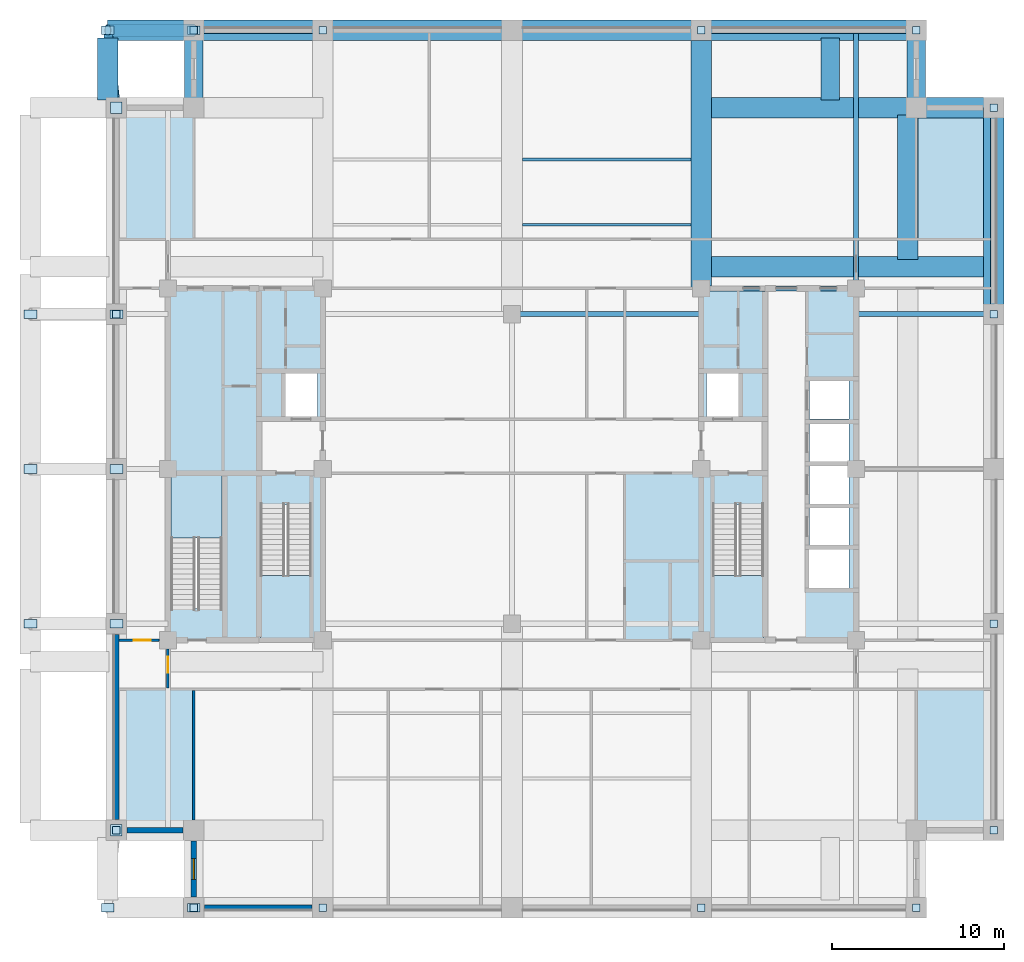
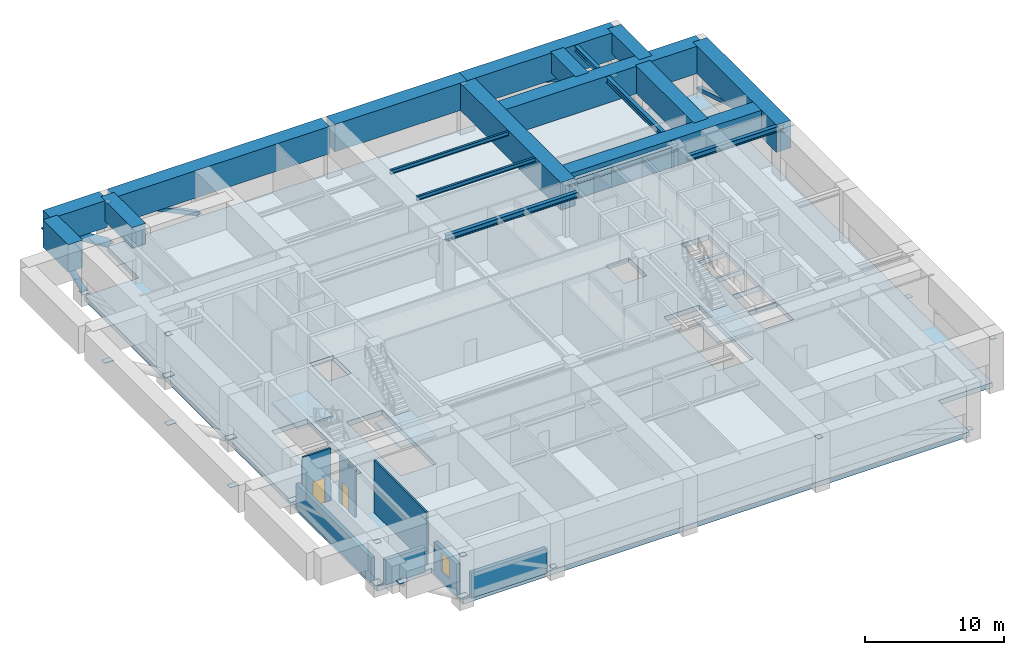
# One storey, part 2 of 11: 26 plates, 19 beams, 7 walls, 5 members, 4 slabs, 2 doors, 1 window, 3 openings, 3 elements without a shape of their own.
"""IFC4 building model written with IfcOpenShell, lengths in metres."""

from ifc_helpers import new_model, si_unit, direction, frame, frame_2d, origin, origin_2d, place, context, subcontext, project, spatial, polyline, rectangle, hollow_rectangle, hollow_circle, i_section, outline, extrude, material, layer, layer_set, material_profile, profile_set, type_object, element, fill, aggregate, save


model = new_model("IFC4")

# Units and contexts
model_context = context("Model", 3, precision=1e-05, world=origin(), true_north=direction((0.0, 1.0)))
body_context = subcontext(model_context, "Body", "Model", "MODEL_VIEW")
ifc_project = project(units=[si_unit("LENGTHUNIT", "METRE"), si_unit("AREAUNIT", "SQUARE_METRE"), si_unit("VOLUMEUNIT", "CUBIC_METRE"), si_unit("PLANEANGLEUNIT", "RADIAN"), si_unit("MASSUNIT", "GRAM", prefix="KILO")], contexts=[model_context])

# Site, building, storey
site_placement = place(None, origin())
site = spatial("IfcSite", under=ifc_project, at=site_placement, CompositionType="ELEMENT")
building_placement = place(site_placement, origin())
building = spatial("IfcBuilding", under=site, at=building_placement, Name="Zulmaris Gate Convention Tower", CompositionType="ELEMENT")
storey_placement = place(building_placement, frame((0.0, 0.0, 116.349853515625)))
storey = spatial("IfcBuildingStorey", under=building, at=storey_placement, Name="L29", CompositionType="ELEMENT", Elevation=116.349853515625)

# Beams
ifc_material_1 = material(Name="Steel S355", Category="steel")
ifc_material_profile_1 = material_profile(ifc_material_1, i_section(OverallWidth=0.300048828125, OverallDepth=0.5, WebThickness=0.014404296875, FlangeThickness=0.028076171875, FilletRadius=0.027099609375, at=origin_2d()), Name="HEB 500")
ifc_profile_set_1 = profile_set([ifc_material_profile_1], Name="Steel S355")
beam_type_1 = type_object("IfcBeamType", Name="BM-HEB500", PredefinedType="BEAM", material=ifc_profile_set_1)
beam_1_placement = place(storey_placement, frame((0.0, 9.0, 4.322998046875), z_axis=(1.0, 0.0, 0.0), x_axis=(0.0, 1.0, 0.0)))
element("IfcBeam", 1, at=beam_1_placement, inside=storey, type_object=beam_type_1, Name="L29 Beam BM-L29-G04", PredefinedType="BEAM", context=body_context, shape_type="SweptSolid", body=[
    extrude(i_section(OverallWidth=0.300048828125, OverallDepth=0.5, WebThickness=0.014404296875, FlangeThickness=0.028076171875, FilletRadius=0.027099609375, at=origin_2d()), origin(), (0.0, 0.0, 1.0), 11.0),
])
beam_2_placement = place(storey_placement, frame((20.0, 10.5, 4.2880859375), z_axis=(0.0, 1.0, 0.0), x_axis=(-1.0, 0.0, 0.0)))
element("IfcBeam", 2, at=beam_2_placement, inside=storey, type_object=beam_type_1, Name="L29 Beam BM-L29-G15", PredefinedType="BEAM", context=body_context, shape_type="SweptSolid", body=[
    extrude(i_section(OverallWidth=0.300048828125, OverallDepth=0.5, WebThickness=0.014404296875, FlangeThickness=0.028076171875, FilletRadius=0.027099609375, at=origin_2d()), origin(), (0.0, 0.0, 1.0), 15.0),
])
beam_3_placement = place(storey_placement, frame((20.0, 9.0, 4.2880859375), z_axis=(1.0, 0.0, 0.0), x_axis=(0.0, 1.0, 0.0)))
element("IfcBeam", 3, at=beam_3_placement, inside=storey, type_object=beam_type_1, Name="L29 Beam BM-L29-G21", PredefinedType="BEAM", context=body_context, shape_type="SweptSolid", body=[
    extrude(i_section(OverallWidth=0.300048828125, OverallDepth=0.5, WebThickness=0.014404296875, FlangeThickness=0.028076171875, FilletRadius=0.027099609375, at=origin_2d()), origin(), (0.0, 0.0, 1.0), 8.0),
])
beam_4_placement = place(storey_placement, frame((11.0, 10.5, 4.322998046875), z_axis=(1.0, 0.0, 0.0), x_axis=(0.0, 1.0, 0.0)))
element("IfcBeam", 4, at=beam_4_placement, inside=storey, type_object=beam_type_1, Name="L29 Beam BM-L29-G25", PredefinedType="BEAM", context=body_context, shape_type="SweptSolid", body=[
    extrude(i_section(OverallWidth=0.300048828125, OverallDepth=0.5, WebThickness=0.014404296875, FlangeThickness=0.028076171875, FilletRadius=0.027099609375, at=origin_2d()), origin(), (0.0, 0.0, 1.0), 9.0),
])
ifc_material_2 = material(Name="Concrete C80/95", Category="concrete")
ifc_material_profile_2 = material_profile(ifc_material_2, rectangle(XDim=1.10009765625, YDim=1.800048828125, at=origin_2d()), Name="RC TRANSFER 1100x1800")
ifc_profile_set_2 = profile_set([ifc_material_profile_2], Name="Concrete C80/95")
beam_type_2 = type_object("IfcBeamType", Name="BM-XFER1800", PredefinedType="BEAM", material=ifc_profile_set_2)
for number, where, z_axis, x_axis, name in (
    (5, (-18.5, 21.0, 3.675048828125), (0.0, 1.0, 0.0), (-1.0, 0.0, 0.0), "L29 Beam XFCOLV-L29-CXWN"),
    (6, (23.5, 21.0, 3.675048828125), (0.0, 1.0, 0.0), (-1.0, 0.0, 0.0), "L29 Beam XFCOLV-L29-CXEN"),
):
    element("IfcBeam", number, at=place(storey_placement, frame(where, z_axis=z_axis, x_axis=x_axis)), inside=storey, type_object=beam_type_2, Name=name, PredefinedType="BEAM", context=body_context, shape_type="SweptSolid", body=[
        extrude(rectangle(XDim=1.10009765625, YDim=1.800048828125, at=origin_2d()), origin(), (0.0, 0.0, 1.0), 4.5),
    ])
beam_5_placement = place(storey_placement, frame((18.5, 21.43505859375, 3.675048828125), z_axis=(0.0, 1.0, 0.0), x_axis=(-1.0, 0.0, 0.0)))
element("IfcBeam", 7, at=beam_5_placement, inside=storey, type_object=beam_type_2, Name="L29 Beam XFNCH-L29-EC-+21.0", PredefinedType="BEAM", context=body_context, shape_type="SweptSolid", body=[
    extrude(rectangle(XDim=1.10009765625, YDim=1.800048828125, at=origin_2d()), origin(), (0.0, 0.0, 1.0), 3.6298828125),
])
ifc_material_profile_3 = material_profile(ifc_material_2, rectangle(XDim=1.199951171875, YDim=2.39990234375, at=origin_2d()), Name="RC TRANSFER 1200x2400")
ifc_profile_set_3 = profile_set([ifc_material_profile_3], Name="Concrete C80/95")
beam_type_3 = type_object("IfcBeamType", Name="BM-XFER2400", PredefinedType="BEAM", material=ifc_profile_set_3)
beam_6_placement = place(storey_placement, frame((28.0, 9.0, 3.375), z_axis=(0.0, 1.0, 0.0), x_axis=(-1.0, 0.0, 0.0)))
element("IfcBeam", 8, at=beam_6_placement, inside=storey, type_object=beam_type_3, Name="L29 Beam XFCOLV-L29-XEN", PredefinedType="BEAM", context=body_context, shape_type="SweptSolid", body=[
    extrude(rectangle(XDim=1.199951171875, YDim=2.39990234375, at=origin_2d()), origin(), (0.0, 0.0, 1.0), 12.0),
])
beam_7_placement = place(storey_placement, frame((11.0, 10.5, 3.375), z_axis=(0.0, 1.0, 0.0), x_axis=(-1.0, 0.0, 0.0)))
element("IfcBeam", 9, at=beam_7_placement, inside=storey, type_object=beam_type_3, Name="L29 Beam XFCOLV-L29-C11EN", PredefinedType="BEAM", context=body_context, shape_type="SweptSolid", body=[
    extrude(rectangle(XDim=1.199951171875, YDim=2.39990234375, at=origin_2d()), origin(), (0.0, 0.0, 1.0), 15.0),
])
beam_8_placement = place(storey_placement, frame((-18.1650390625, 25.5, 3.375), z_axis=(1.0, 0.0, 0.0), x_axis=(0.0, 1.0, 0.0)))
element("IfcBeam", 10, at=beam_8_placement, inside=storey, type_object=beam_type_3, Name="L29 Beam XFBS-L29-WC-+25.5", PredefinedType="BEAM", context=body_context, shape_type="SweptSolid", body=[
    extrude(rectangle(XDim=1.199951171875, YDim=2.39990234375, at=origin_2d()), origin(), (0.0, 0.0, 1.0), 17.72998046875),
])
beam_9_placement = place(storey_placement, frame((-23.5, 25.5, 3.375), z_axis=(1.0, 0.0, 0.0), x_axis=(0.0, 1.0, 0.0)))
element("IfcBeam", 11, at=beam_9_placement, inside=storey, type_object=beam_type_3, Name="L29 Beam XFSF-L29-WC-+25.5", PredefinedType="BEAM", context=body_context, shape_type="SweptSolid", body=[
    extrude(rectangle(XDim=1.199951171875, YDim=2.39990234375, at=origin_2d()), origin(), (0.0, 0.0, 1.0), 4.6650390625),
])
for number, where, z_axis, x_axis, name in (
    (12, (11.0, 11.75, 3.375), (1.0, 0.0, 0.0), (0.0, 1.0, 0.0), "L29 Beam XFREC-L29-E-+11.75"),
    (13, (11.0, 21.0, 3.375), (1.0, 0.0, 0.0), (0.0, 1.0, 0.0), "L29 Beam XFREC-L29-E-+21.00"),
):
    element("IfcBeam", number, at=place(storey_placement, frame(where, z_axis=z_axis, x_axis=x_axis)), inside=storey, type_object=beam_type_3, Name=name, PredefinedType="BEAM", context=body_context, shape_type="SweptSolid", body=[
        extrude(rectangle(XDim=1.199951171875, YDim=2.39990234375, at=origin_2d()), origin(), (0.0, 0.0, 1.0), 17.0),
    ])
beam_10_placement = place(storey_placement, frame((23.0, 12.18505859375, 3.375), z_axis=(0.0, 1.0, 0.0), x_axis=(-1.0, 0.0, 0.0)))
element("IfcBeam", 14, at=beam_10_placement, inside=storey, type_object=beam_type_3, Name="L29 Beam XFEDG-L29-EN", PredefinedType="BEAM", context=body_context, shape_type="SweptSolid", body=[
    extrude(rectangle(XDim=1.199951171875, YDim=2.39990234375, at=origin_2d()), origin(), (0.0, 0.0, 1.0), 8.3798828125),
])
beam_11_placement = place(storey_placement, frame((11.0, 25.5, 3.375), z_axis=(1.0, 0.0, 0.0), x_axis=(0.0, 1.0, 0.0)))
element("IfcBeam", 15, at=beam_11_placement, inside=storey, type_object=beam_type_3, Name="L29 Beam XFREC-L29-EC-+25.5", PredefinedType="BEAM", context=body_context, shape_type="SweptSolid", body=[
    extrude(rectangle(XDim=1.199951171875, YDim=2.39990234375, at=origin_2d()), origin(), (0.0, 0.0, 1.0), 12.5),
])
beam_12_placement = place(storey_placement, frame((0.0, 25.5, 3.375), z_axis=(1.0, 0.0, 0.0), x_axis=(0.0, 1.0, 0.0)))
element("IfcBeam", 16, at=beam_12_placement, inside=storey, type_object=beam_type_3, Name="L29 Beam XFREC-L29-M2-+25.5", PredefinedType="BEAM", context=body_context, shape_type="SweptSolid", body=[
    extrude(rectangle(XDim=1.199951171875, YDim=2.39990234375, at=origin_2d()), origin(), (0.0, 0.0, 1.0), 11.0),
])
beam_13_placement = place(storey_placement, frame((-23.5, 21.43505859375, 3.375), z_axis=(0.0, 1.0, 0.0), x_axis=(-1.0, 0.0, 0.0)))
element("IfcBeam", 17, at=beam_13_placement, inside=storey, type_object=beam_type_3, Name="L29 Beam XFNCH-L29-WC-+21.0", PredefinedType="BEAM", context=body_context, shape_type="SweptSolid", body=[
    extrude(rectangle(XDim=1.199951171875, YDim=2.39990234375, at=origin_2d()), origin(), (0.0, 0.0, 1.0), 3.6298828125),
])

# Members
ifc_material_3 = material(Name="Steel S460", Category="steel")
ifc_material_profile_4 = material_profile(ifc_material_3, hollow_circle(Radius=0.25390625, WallThickness=0.02490234375, at=origin_2d()), Name="CHS 508x25")
ifc_profile_set_4 = profile_set([ifc_material_profile_4], Name="Steel S460")
member_type_1 = type_object("IfcMemberType", Name="BR-CHS508", PredefinedType="BRACE", material=ifc_profile_set_4)
member_1_placement = place(storey_placement, frame((-23.0, 21.0, 0.35009765625), z_axis=(-0.091824253231, 0.826418279083, 0.555518797626), x_axis=(-0.993883734674, -0.110431526075, 0.0)))
element("IfcMember", 18, at=member_1_placement, inside=storey, type_object=member_type_1, Name="L29 Shifted Block Notch Web Strut WC +25.5", PredefinedType="BRACE", context=body_context, shape_type="SweptSolid", body=[
    extrude(hollow_circle(Radius=0.25390625, WallThickness=0.02490234375, at=origin_2d()), origin(), (0.0, 0.0, 1.0), 5.445068359375),
])
ifc_material_profile_5 = material_profile(ifc_material_3, hollow_circle(Radius=0.35546875, WallThickness=0.035888671875, at=origin_2d()), Name="CHS 711x36")
ifc_profile_set_5 = profile_set([ifc_material_profile_5], Name="Steel S460")
member_type_2 = type_object("IfcMemberType", Name="BR-CHS711", PredefinedType="BRACE", material=ifc_profile_set_5)
member_2_placement = place(storey_placement, frame((-18.5, 25.5, 0.35009765625), z_axis=(-0.855607204718, 0.0, 0.517625647776), x_axis=(0.0, -1.0, 0.0)))
element("IfcMember", 19, at=member_2_placement, inside=storey, type_object=member_type_2, Name="L29 Shifted Block Corner Raking Strut WC +25.5", PredefinedType="BRACE", context=body_context, shape_type="SweptSolid", body=[
    extrude(hollow_circle(Radius=0.35546875, WallThickness=0.035888671875, at=origin_2d()), origin(), (0.0, 0.0, 1.0), 5.84375),
])
ifc_material_profile_6 = material_profile(ifc_material_3, hollow_rectangle(XDim=0.35009765625, YDim=0.35009765625, WallThickness=0.01611328125, at=origin_2d()), Name="SHS 350x350x16")
ifc_profile_set_6 = profile_set([ifc_material_profile_6], Name="Steel S460")
member_type_3 = type_object("IfcMemberType", Name="BR-SHS350", PredefinedType="BRACE", material=ifc_profile_set_6)
member_3_placement = place(storey_placement, frame((28.0, 21.0, 0.300048828125), z_axis=(0.0, -0.956610453782, 0.291369936189), x_axis=(1.0, 0.0, 0.0)))
element("IfcMember", 20, at=member_3_placement, inside=storey, type_object=member_type_3, Name="L29 Perimeter Tube Diagonal NE-E", PredefinedType="BRACE", context=body_context, shape_type="SweptSolid", body=[
    extrude(hollow_rectangle(XDim=0.35009765625, YDim=0.35009765625, WallThickness=0.01611328125, at=origin_2d()), origin(), (0.0, 0.0, 1.0), 12.544189453125),
])
member_4_placement = place(storey_placement, frame((-11.0, 25.5, 0.300048828125), z_axis=(-0.898934027062, 0.0, 0.438084027316), x_axis=(0.0, -1.0, 0.0)))
element("IfcMember", 21, at=member_4_placement, inside=storey, type_object=member_type_3, Name="L29 Perimeter Tube Diagonal NW-N", PredefinedType="BRACE", context=body_context, shape_type="SweptSolid", body=[
    extrude(hollow_rectangle(XDim=0.35009765625, YDim=0.35009765625, WallThickness=0.01611328125, at=origin_2d()), origin(), (0.0, 0.0, 1.0), 8.34326171875),
])
member_5_placement = place(storey_placement, frame((23.5, 25.5, 0.300048828125), z_axis=(-0.959809977016, 0.0, 0.280650686834), x_axis=(0.0, -1.0, 0.0)))
element("IfcMember", 22, at=member_5_placement, inside=storey, type_object=member_type_3, Name="L29 Perimeter Tube Diagonal NE-N", PredefinedType="BRACE", context=body_context, shape_type="SweptSolid", body=[
    extrude(hollow_rectangle(XDim=0.35009765625, YDim=0.35009765625, WallThickness=0.01611328125, at=origin_2d()), origin(), (0.0, 0.0, 1.0), 13.0234375),
])

# Beams
ifc_material_profile_7 = material_profile(ifc_material_1, i_section(OverallWidth=0.169921875, OverallDepth=0.360107421875, WebThickness=0.008056640625, FlangeThickness=0.0126953125, FilletRadius=0.01806640625, at=origin_2d()), Name="IPE 360")
ifc_profile_set_7 = profile_set([ifc_material_profile_7], Name="Steel S355")
beam_type_4 = type_object("IfcBeamType", Name="JT-IPE360", PredefinedType="JOIST", material=ifc_profile_set_7)
for number, where, z_axis, x_axis, name in (
    (23, (0.60009765625, 14.199951171875, 4.39306640625), (1.0, 0.0, 0.0), (0.0, 1.0, 0.0), "L29 Joist JT-L29-CE-+14.2"),
    (24, (0.60009765625, 18.0, 4.39306640625), (1.0, 0.0, 0.0), (0.0, 1.0, 0.0), "L29 Joist JT-L29-CE-+18.0"),
):
    element("IfcBeam", number, at=place(storey_placement, frame(where, z_axis=z_axis, x_axis=x_axis)), inside=storey, type_object=beam_type_4, Name=name, PredefinedType="JOIST", context=body_context, shape_type="SweptSolid", body=[
        extrude(i_section(OverallWidth=0.169921875, OverallDepth=0.360107421875, WebThickness=0.008056640625, FlangeThickness=0.0126953125, FilletRadius=0.01806640625, at=origin_2d()), origin(), (0.0, 0.0, 1.0), 9.7998046875),
    ])

# Plates
ifc_layer_1 = layer(ifc_material_3, 0.02490234375, Name="Steel S460")
ifc_layer_set_1 = layer_set([ifc_layer_1], Name="Steel S460")
plate_type_1 = type_object("IfcPlateType", Name="NP-CAP-440", PredefinedType="USERDEFINED", material=ifc_layer_set_1)
for number, where, z_axis, x_axis, name in (
    (25, (-23.0, -21.0, 3.942626953125), (0.0, 0.0, 1.0), (1.0, 0.0, 0.0), "L29 Steel Node Plate PBR-L29-SW-W-CAPB"),
    (26, (-23.0, 9.0, 3.942626953125), (0.0, 0.0, 1.0), (1.0, 0.0, 0.0), "L29 Steel Node Plate PBR-L29-NW-W-CAPB"),
    (27, (28.0, -9.0, 0.28759765625), (0.0, 0.0, 1.0), (1.0, 0.0, 0.0), "L29 Steel Node Plate PBR-L29-SE-E-CAP"),
    (28, (28.0, -21.0, 3.942626953125), (0.0, 0.0, 1.0), (1.0, 0.0, 0.0), "L29 Steel Node Plate PBR-L29-SE-E-CAPB"),
    (29, (28.0, 21.0, 0.28759765625), (0.0, 0.0, 1.0), (1.0, 0.0, 0.0), "L29 Steel Node Plate PBR-L29-NE-E-CAP"),
    (30, (28.0, 9.0, 3.942626953125), (0.0, 0.0, 1.0), (1.0, 0.0, 0.0), "L29 Steel Node Plate PBR-L29-NE-E-CAPB"),
    (31, (-11.0, -25.5, 0.28759765625), (0.0, 0.0, 1.0), (1.0, 0.0, 0.0), "L29 Steel Node Plate PBR-L29-SW-S-CAP"),
    (32, (-18.5, -25.5, 3.942626953125), (0.0, 0.0, 1.0), (1.0, 0.0, 0.0), "L29 Steel Node Plate PBR-L29-SW-S-CAPB"),
    (33, (23.5, -25.5, 0.28759765625), (0.0, 0.0, 1.0), (1.0, 0.0, 0.0), "L29 Steel Node Plate PBR-L29-SE-S-CAP"),
    (34, (11.0, -25.5, 3.942626953125), (0.0, 0.0, 1.0), (1.0, 0.0, 0.0), "L29 Steel Node Plate PBR-L29-SE-S-CAPB"),
    (35, (-11.0, 25.5, 0.28759765625), (0.0, 0.0, 1.0), (1.0, 0.0, 0.0), "L29 Steel Node Plate PBR-L29-NW-N-CAP"),
    (36, (-18.5, 25.5, 3.942626953125), (0.0, 0.0, 1.0), (1.0, 0.0, 0.0), "L29 Steel Node Plate PBR-L29-NW-N-CAPB"),
    (37, (23.5, 25.5, 0.28759765625), (0.0, 0.0, 1.0), (1.0, 0.0, 0.0), "L29 Steel Node Plate PBR-L29-NE-N-CAP"),
    (38, (11.0, 25.5, 3.942626953125), (0.0, 0.0, 1.0), (1.0, 0.0, 0.0), "L29 Steel Node Plate PBR-L29-NE-N-CAPB"),
):
    element("IfcPlate", number, at=place(storey_placement, frame(where, z_axis=z_axis, x_axis=x_axis)), inside=storey, type_object=plate_type_1, Name=name, ObjectType="FLANGE PLATE", PredefinedType="USERDEFINED", context=body_context, shape_type="SweptSolid", body=[
        extrude(rectangle(XDim=0.43994140625, YDim=0.43994140625, at=origin_2d()), origin(), (0.0, 0.0, 1.0), 0.02490234375),
    ])
ifc_layer_2 = layer(ifc_material_3, 0.034912109375, Name="Steel S460")
ifc_layer_set_2 = layer_set([ifc_layer_2], Name="Steel S460")
plate_type_2 = type_object("IfcPlateType", Name="NP-GUS-650", PredefinedType="USERDEFINED", material=ifc_layer_set_2)
for number, where, z_axis, x_axis, name in (
    (39, (-23.0, -21.0, 0.33251953125), (0.0, 0.0, 1.0), (1.0, 0.0, 0.0), "L29 Steel Node Plate RKR2-L29-WC--25.5-P0"),
    (40, (-23.0, 21.0, 0.33251953125), (0.0, 0.0, 1.0), (1.0, 0.0, 0.0), "L29 Steel Node Plate RKR2-L29-WC-+25.5-P0"),
):
    element("IfcPlate", number, at=place(storey_placement, frame(where, z_axis=z_axis, x_axis=x_axis)), inside=storey, type_object=plate_type_2, Name=name, ObjectType="GUSSET PLATE", PredefinedType="USERDEFINED", context=body_context, shape_type="SweptSolid", body=[
        extrude(rectangle(XDim=0.64990234375, YDim=0.64990234375, at=origin_2d()), origin(), (0.0, 0.0, 1.0), 0.034912109375),
    ])
ifc_layer_3 = layer(ifc_material_3, 0.034912109375, Name="Steel S460")
ifc_layer_set_3 = layer_set([ifc_layer_3], Name="Steel S460")
plate_type_3 = type_object("IfcPlateType", Name="NP-GUS-750", PredefinedType="USERDEFINED", material=ifc_layer_set_3)
for number, where, z_axis, x_axis, name in (
    (41, (-23.0, -9.0, 0.33251953125), (0.0, 0.0, 1.0), (1.0, 0.0, 0.0), "L29 Steel Node Plate RKR-L29-W--9.0-P0"),
    (42, (-28.0, -9.0, 3.357421875), (0.0, 0.0, 1.0), (1.0, 0.0, 0.0), "L29 Steel Node Plate RKR-L29-W--9.0-P1"),
    (43, (-23.0, 0.0, 0.33251953125), (0.0, 0.0, 1.0), (1.0, 0.0, 0.0), "L29 Steel Node Plate RKR-L29-W-+0.0-P0"),
    (44, (-28.0, 0.0, 3.357421875), (0.0, 0.0, 1.0), (1.0, 0.0, 0.0), "L29 Steel Node Plate RKR-L29-W-+0.0-P1"),
    (45, (-23.0, 9.0, 0.33251953125), (0.0, 0.0, 1.0), (1.0, 0.0, 0.0), "L29 Steel Node Plate RKR-L29-W-+9.0-P0"),
    (46, (-28.0, 9.0, 3.357421875), (0.0, 0.0, 1.0), (1.0, 0.0, 0.0), "L29 Steel Node Plate RKR-L29-W-+9.0-P1"),
    (47, (-18.5, -25.5, 0.33251953125), (0.0, 0.0, 1.0), (1.0, 0.0, 0.0), "L29 Steel Node Plate RKR-L29-WC--25.5-P0"),
    (48, (-23.5, -25.5, 3.357421875), (0.0, 0.0, 1.0), (1.0, 0.0, 0.0), "L29 Steel Node Plate RKR-L29-WC--25.5-P1"),
    (49, (-18.5, 25.5, 0.33251953125), (0.0, 0.0, 1.0), (1.0, 0.0, 0.0), "L29 Steel Node Plate RKR-L29-WC-+25.5-P0"),
    (50, (-23.5, 25.5, 3.357421875), (0.0, 0.0, 1.0), (1.0, 0.0, 0.0), "L29 Steel Node Plate RKR-L29-WC-+25.5-P1"),
):
    element("IfcPlate", number, at=place(storey_placement, frame(where, z_axis=z_axis, x_axis=x_axis)), inside=storey, type_object=plate_type_3, Name=name, ObjectType="GUSSET PLATE", PredefinedType="USERDEFINED", context=body_context, shape_type="SweptSolid", body=[
        extrude(rectangle(XDim=0.75, YDim=0.5, at=origin_2d()), origin(), (0.0, 0.0, 1.0), 0.034912109375),
    ])

# Slab
ifc_material_4 = material(Name="Concrete C60/75", Category="concrete")
ifc_layer_4 = layer(ifc_material_4, 0.425048828125, Name="Concrete C60/75")
ifc_layer_set_4 = layer_set([ifc_layer_4], Name="Concrete C60/75")
slab_type_1 = type_object("IfcSlabType", Name="SL-FLR-425", PredefinedType="FLOOR", material=ifc_layer_set_4)
slab_1_placement = place(storey_placement, frame((0.0, 0.0, -0.425048828125)))
element("IfcSlab", 51, at=slab_1_placement, inside=storey, type_object=slab_type_1, Name="L29 Shifted Notched-Square Structural Floor Slab", PredefinedType="FLOOR", context=body_context, shape_type="SweptSolid", body=[
    extrude(outline(polyline([(-18.5, -25.5), (23.5, -25.5), (23.5, -21.0), (28.0, -21.0), (28.0, 21.0), (23.5, 21.0), (23.5, 25.5), (-18.5, 25.5), (-18.5, 21.0), (-23.0, 21.0), (-23.0, -21.0), (-18.5, -21.0), (-18.5, -25.5)]), holes=[polyline([(-14.6201171875, -2.080078125), (-14.6201171875, -9.85009765625), (-11.659912109375, -9.85009765625), (-11.659912109375, -2.080078125), (-14.6201171875, -2.080078125)]), polyline([(11.659912109375, -2.080078125), (11.659912109375, -9.85009765625), (14.6201171875, -9.85009765625), (14.6201171875, -2.080078125), (11.659912109375, -2.080078125)]), polyline([(-16.860107421875, -8.1201171875), (-16.860107421875, -0.35009765625), (-19.820068359375, -0.35009765625), (-19.820068359375, -8.1201171875), (-16.860107421875, -8.1201171875)]), polyline([(-13.199951171875, 3.0), (-11.300048828125, 3.0), (-11.300048828125, 5.60009765625), (-13.199951171875, 5.60009765625), (-13.199951171875, 3.0)]), polyline([(11.300048828125, 3.0), (13.199951171875, 3.0), (13.199951171875, 5.60009765625), (11.300048828125, 5.60009765625), (11.300048828125, 3.0)]), polyline([(17.199951171875, -7.0), (19.60009765625, -7.0), (19.60009765625, -4.60009765625), (17.199951171875, -4.60009765625), (17.199951171875, -7.0)]), polyline([(17.300048828125, -4.5), (19.60009765625, -4.5), (19.60009765625, -2.199951171875), (17.300048828125, -2.199951171875), (17.300048828125, -4.5)]), polyline([(17.300048828125, -2.10009765625), (19.60009765625, -2.10009765625), (19.60009765625, 0.199951171875), (17.300048828125, 0.199951171875), (17.300048828125, -2.10009765625)]), polyline([(17.300048828125, 0.39990234375), (19.60009765625, 0.39990234375), (19.60009765625, 2.699951171875), (17.300048828125, 2.699951171875), (17.300048828125, 0.39990234375)]), polyline([(17.300048828125, 2.89990234375), (19.60009765625, 2.89990234375), (19.60009765625, 5.199951171875), (17.300048828125, 5.199951171875), (17.300048828125, 2.89990234375)])]), origin(), (0.0, 0.0, 1.0), 0.425048828125),
])

# Stair, slab
ifc_material_5 = material(Name="Concrete C45/55", Category="concrete")
stair_type = type_object("IfcStairType", Name="ST-CORE-DOGLEG", PredefinedType="HALF_TURN_STAIR", material=ifc_material_5)
stair_1_placement = place(storey_placement, origin())
stair_1 = element("IfcStair", 52, at=stair_1_placement, inside=storey, type_object=stair_type, Name="L29 Core Exit Stair ST-1", PredefinedType="HALF_TURN_STAIR")
ifc_layer_5 = layer(ifc_material_5, 0.199951171875, Name="Concrete C45/55")
ifc_layer_set_5 = layer_set([ifc_layer_5], Name="Concrete C45/55")
slab_type_2 = type_object("IfcSlabType", Name="SL-LND-200", PredefinedType="LANDING", material=ifc_layer_set_5)
slab_2_placement = place(storey_placement, frame((0.0, 0.0, 2.300048828125)))
slab_2 = element("IfcSlab", 53, at=slab_2_placement, type_object=slab_type_2, Name="ST-1 landing 1", PredefinedType="LANDING", context=body_context, shape_type="SweptSolid", body=[
    extrude(outline(polyline([(-14.6201171875, -6.199951171875), (-14.6201171875, -9.85009765625), (-11.659912109375, -9.85009765625), (-11.659912109375, -6.199951171875), (-14.6201171875, -6.199951171875)])), origin(), (0.0, 0.0, 1.0), 0.199951171875),
])
aggregate(stair_1, [slab_2])

stair_2_placement = place(storey_placement, origin())
stair_2 = element("IfcStair", 54, at=stair_2_placement, inside=storey, type_object=stair_type, Name="L29 Core Exit Stair ST-2", PredefinedType="HALF_TURN_STAIR")
slab_3_placement = place(storey_placement, frame((0.0, 0.0, 2.300048828125)))
slab_3 = element("IfcSlab", 55, at=slab_3_placement, type_object=slab_type_2, Name="ST-2 landing 1", PredefinedType="LANDING", context=body_context, shape_type="SweptSolid", body=[
    extrude(outline(polyline([(11.659912109375, -6.199951171875), (11.659912109375, -9.85009765625), (14.6201171875, -9.85009765625), (14.6201171875, -6.199951171875), (11.659912109375, -6.199951171875)])), origin(), (0.0, 0.0, 1.0), 0.199951171875),
])
aggregate(stair_2, [slab_3])

stair_3_placement = place(storey_placement, origin())
stair_3 = element("IfcStair", 56, at=stair_3_placement, inside=storey, type_object=stair_type, Name="L29 Core Exit Stair ST-3", PredefinedType="HALF_TURN_STAIR")
slab_4_placement = place(storey_placement, frame((0.0, 0.0, 2.300048828125)))
slab_4 = element("IfcSlab", 57, at=slab_4_placement, type_object=slab_type_2, Name="ST-3 landing 1", PredefinedType="LANDING", context=body_context, shape_type="SweptSolid", body=[
    extrude(outline(polyline([(-16.860107421875, -4.0), (-16.860107421875, -0.35009765625), (-19.820068359375, -0.35009765625), (-19.820068359375, -4.0), (-16.860107421875, -4.0)])), origin(), (0.0, 0.0, 1.0), 0.199951171875),
])
aggregate(stair_3, [slab_4])

# Wall, opening, door
ifc_material_6 = material(Name="Gypsum Metal Stud Partition")
ifc_layer_6 = layer(ifc_material_6, 0.14990234375, Name="Gypsum Metal Stud Partition")
ifc_layer_set_6 = layer_set([ifc_layer_6], Name="Gypsum Metal Stud Partition")
wall_type_1 = type_object("IfcWallType", Name="PART-150", PredefinedType="PARTITIONING", material=ifc_layer_set_6)
wall_1_placement = place(storey_placement, frame((-22.8349609375, -9.949951171875, 0.0), z_axis=(0.0, 0.0, 1.0), x_axis=(1.0, 0.0, 0.0)))
wall_1 = element("IfcWall", 58, at=wall_1_placement, inside=storey, type_object=wall_type_1, Name="WL-L29-022", PredefinedType="PARTITIONING", context=body_context, shape_type="SweptSolid", body=[
    extrude(rectangle(XDim=2.328857421875, YDim=0.14990234375, at=frame_2d((1.16455078125, 0.0))), origin(), (0.0, 0.0, 1.0), 4.574951171875),
])
opening_1_placement = place(wall_1_placement, frame((0.8349609375, 0.0, 0.0)))
opening_1 = element("IfcOpeningElement", 59, at=opening_1_placement, cuts=wall_1, Name="Opening D-10", PredefinedType="OPENING", context=body_context, shape_type="SweptSolid", body=[
    extrude(rectangle(XDim=1.0, YDim=2.14990234375, at=frame_2d((0.5, 1.074951171875))), frame((0.0, 0.0849609375, 0.0), z_axis=(0.0, -1.0, 0.0), x_axis=(1.0, 0.0, 0.0)), (0.0, 0.0, 1.0), 0.169921875),
])
ifc_material_7 = material(Name="Fire-Rated Timber", Category="wood")
door_type_1 = type_object("IfcDoorType", Name="DR-1000-FD", OperationType="NOTDEFINED", PredefinedType="DOOR", material=ifc_material_7)
door_1_placement = place(opening_1_placement, origin())
door_1 = element("IfcDoor", 60, at=door_1_placement, inside=storey, type_object=door_type_1, Name="L29 West Workplace South Door 45", OperationType="SINGLE_SWING_RIGHT", OverallHeight=2.14990234375, OverallWidth=1.0, PredefinedType="DOOR", context=body_context, shape_type="SweptSolid", body=[
    extrude(rectangle(XDim=1.0, YDim=2.14990234375, at=frame_2d((0.5, 1.074951171875))), frame((0.0, 0.02490234375, 0.0), z_axis=(0.0, -1.0, 0.0), x_axis=(1.0, 0.0, 0.0)), (0.0, 0.0, 1.0), 0.050048828125),
])
fill(opening_1, door_1)

wall_2_placement = place(storey_placement, frame((-20.0, -12.721923828125, 0.0), z_axis=(0.0, 0.0, 1.0), x_axis=(0.0, 1.0, 0.0)))
wall_2 = element("IfcWall", 61, at=wall_2_placement, inside=storey, type_object=wall_type_1, Name="WL-L29-072", PredefinedType="PARTITIONING", context=body_context, shape_type="SweptSolid", body=[
    extrude(rectangle(XDim=2.265869140625, YDim=0.14990234375, at=frame_2d((1.1328125, 0.0))), origin(), (0.0, 0.0, 1.0), 4.06494140625),
])
opening_2_placement = place(wall_2_placement, frame((0.866943359375, 0.0, 0.0)))
opening_2 = element("IfcOpeningElement", 62, at=opening_2_placement, cuts=wall_2, Name="Opening D-25", PredefinedType="OPENING", context=body_context, shape_type="SweptSolid", body=[
    extrude(rectangle(XDim=0.949951171875, YDim=2.02001953125, at=frame_2d((0.47509765625, 1.010009765625))), frame((0.0, 0.0849609375, 0.0), z_axis=(0.0, -1.0, 0.0), x_axis=(1.0, 0.0, 0.0)), (0.0, 0.0, 1.0), 0.169921875),
])
ifc_material_8 = material(Name="Fire-Rated Steel", Category="steel")
door_type_2 = type_object("IfcDoorType", Name="DR-950-LOW-FD", OperationType="NOTDEFINED", PredefinedType="DOOR", material=ifc_material_8)
door_2_placement = place(opening_2_placement, origin())
door_2 = element("IfcDoor", 63, at=door_2_placement, inside=storey, type_object=door_type_2, Name="L29 SW Spur Door 43", OperationType="SINGLE_SWING_RIGHT", OverallHeight=2.02001953125, OverallWidth=0.949951171875, PredefinedType="DOOR", context=body_context, shape_type="SweptSolid", body=[
    extrude(rectangle(XDim=0.949951171875, YDim=2.02001953125, at=frame_2d((0.47509765625, 1.010009765625))), frame((0.0, 0.02490234375, 0.0), z_axis=(0.0, -1.0, 0.0), x_axis=(1.0, 0.0, 0.0)), (0.0, 0.0, 1.0), 0.050048828125),
])
fill(opening_2, door_2)

# Walls
wall_3_placement = place(storey_placement, frame((-18.5, -20.39404296875, 0.0), z_axis=(0.0, 0.0, 1.0), x_axis=(0.0, 1.0, 0.0)))
element("IfcWall", 64, at=wall_3_placement, inside=storey, type_object=wall_type_1, Name="WL-L29-074", PredefinedType="PARTITIONING", context=body_context, shape_type="SweptSolid", body=[
    extrude(rectangle(XDim=7.51611328125, YDim=0.14990234375, at=frame_2d((3.758056640625, 0.0))), origin(), (0.0, 0.0, 1.0), 4.574951171875),
])
ifc_material_9 = material(Name="Precast concrete C40/50", Category="concrete")
ifc_layer_7 = layer(ifc_material_9, 0.300048828125, Name="Precast concrete C40/50")
ifc_layer_set_7 = layer_set([ifc_layer_7], Name="Precast concrete C40/50")
wall_type_2 = type_object("IfcWallType", Name="PRECAST-PIER-300", PredefinedType="STANDARD", material=ifc_layer_set_7)
wall_4_placement = place(storey_placement, frame((-22.3701171875, -21.0, 0.0), z_axis=(0.0, 0.0, 1.0), x_axis=(1.0, 0.0, 0.0)))
element("IfcWall", 65, at=wall_4_placement, inside=storey, type_object=wall_type_2, Name="EW-L29-NOTCH-SW1_0", PredefinedType="STANDARD", context=body_context, shape_type="SweptSolid", body=[
    extrude(rectangle(XDim=3.240234375, YDim=0.300048828125, at=frame_2d((1.6201171875, 0.0))), origin(), (0.0, 0.0, 1.0), 2.1669921875),
])

# Wall, opening, window
wall_5_placement = place(storey_placement, frame((-18.5, -21.6298828125, 0.0), z_axis=(0.0, 0.0, 1.0), x_axis=(0.0, -1.0, 0.0)))
wall_5 = element("IfcWall", 66, at=wall_5_placement, inside=storey, type_object=wall_type_2, Name="EW-L29-NOTCH-SW2_0", PredefinedType="STANDARD", context=body_context, shape_type="SweptSolid", body=[
    extrude(rectangle(XDim=3.240234375, YDim=0.300048828125, at=frame_2d((1.6201171875, 0.0))), origin(), (0.0, 0.0, 1.0), 2.76708984375),
])
opening_3_placement = place(wall_5_placement, frame((1.02001953125, 0.0, 0.820068359375)))
opening_3 = element("IfcOpeningElement", 67, at=opening_3_placement, cuts=wall_5, Name="Opening W-04", PredefinedType="OPENING", context=body_context, shape_type="SweptSolid", body=[
    extrude(rectangle(XDim=1.199951171875, YDim=1.64990234375, at=frame_2d((0.60009765625, 0.824951171875))), frame((0.0, 0.16015625, 0.0), z_axis=(0.0, -1.0, 0.0), x_axis=(1.0, 0.0, 0.0)), (0.0, 0.0, 1.0), 0.320068359375),
])
ifc_material_10 = material(Name="Low-E Laminated Double Glazing in Aluminium Frame", Category="aluminium")
window_type = type_object("IfcWindowType", Name="WIN-1200x2100", PartitioningType="SINGLE_PANEL", PredefinedType="WINDOW", material=ifc_material_10)
window_placement = place(opening_3_placement, origin())
window = element("IfcWindow", 68, at=window_placement, inside=storey, type_object=window_type, Name="WN-EW-L29-NOTCH-SW2_0", OverallHeight=1.64990234375, OverallWidth=1.199951171875, PartitioningType="SINGLE_PANEL", PredefinedType="WINDOW", context=body_context, shape_type="SweptSolid", body=[
    extrude(rectangle(XDim=1.199951171875, YDim=1.64990234375, at=frame_2d((0.60009765625, 0.824951171875))), frame((0.0, 0.030029296875, 0.0), z_axis=(0.0, -1.0, 0.0), x_axis=(1.0, 0.0, 0.0)), (0.0, 0.0, 1.0), 0.06005859375),
])
fill(opening_3, window)

# Walls
wall_6_placement = place(storey_placement, frame((-17.8701171875, -25.5, 0.0), z_axis=(0.0, 0.0, 1.0), x_axis=(1.0, 0.0, 0.0)))
element("IfcWall", 69, at=wall_6_placement, inside=storey, type_object=wall_type_2, Name="EW-L29-S-0_0", PredefinedType="STANDARD", context=body_context, shape_type="SweptSolid", body=[
    extrude(rectangle(XDim=6.240234375, YDim=0.300048828125, at=frame_2d((3.1201171875, 0.0))), origin(), (0.0, 0.0, 1.0), 2.1669921875),
])
wall_7_placement = place(storey_placement, frame((-23.0, -9.6298828125, 0.0), z_axis=(0.0, 0.0, 1.0), x_axis=(0.0, -1.0, 0.0)))
element("IfcWall", 70, at=wall_7_placement, inside=storey, type_object=wall_type_2, Name="EW-L29-W-0_0", PredefinedType="STANDARD", context=body_context, shape_type="SweptSolid", body=[
    extrude(rectangle(XDim=10.740234375, YDim=0.300048828125, at=frame_2d((5.3701171875, 0.0))), origin(), (0.0, 0.0, 1.0), 2.1669921875),
])

save(model, "model.ifc")
